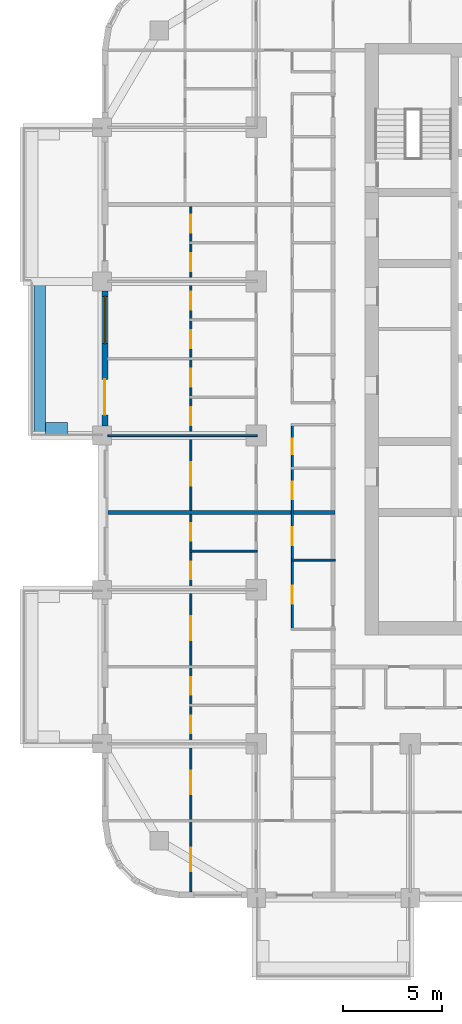
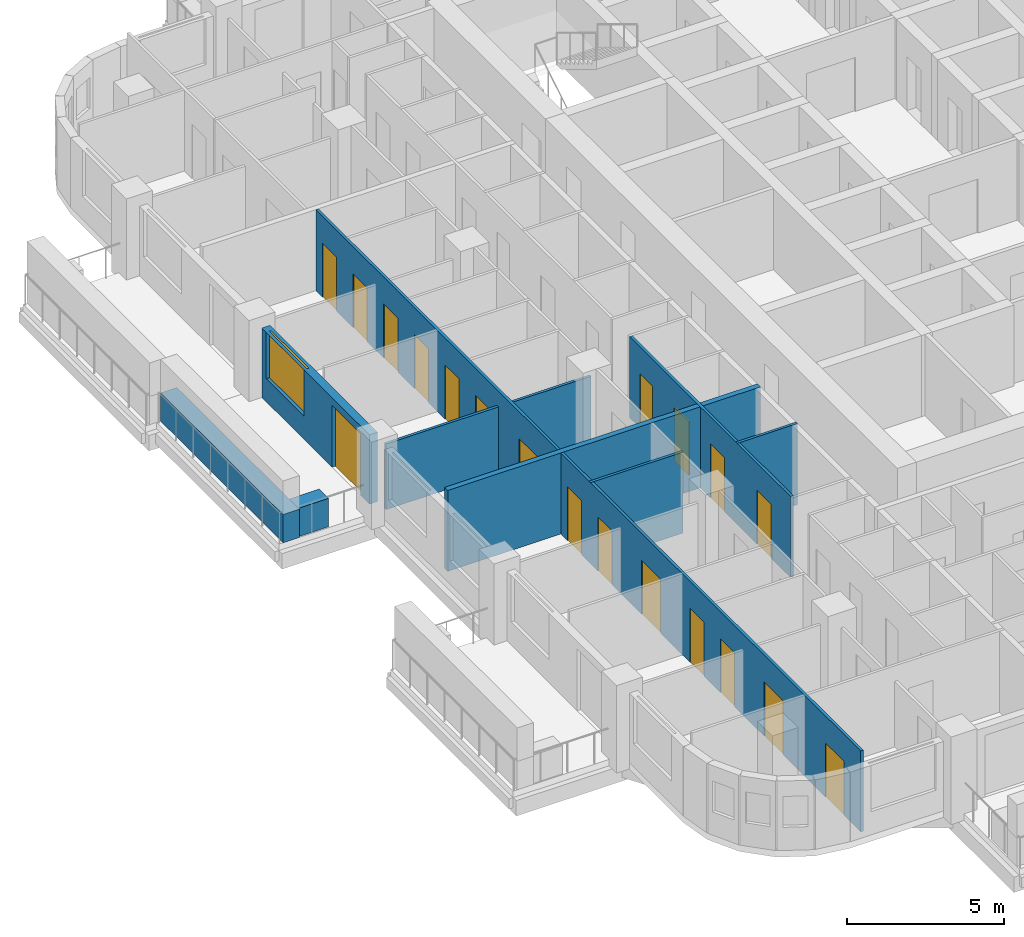
# One storey, part 5 of 18: 19 doors, 9 walls, 1 window, 20 openings.
"""IFC4 building model written with IfcOpenShell, lengths in metres."""

from ifc_helpers import new_model, si_unit, direction, frame, frame_2d, origin, place, context, subcontext, project, spatial, rectangle, extrude, material, layer, layer_set, type_object, element, fill, save


model = new_model("IFC4")

# Units and contexts
model_context = context("Model", 3, precision=1e-05, world=origin(), true_north=direction((0.0, 1.0)))
body_context = subcontext(model_context, "Body", "Model", "MODEL_VIEW")
ifc_project = project(units=[si_unit("LENGTHUNIT", "METRE"), si_unit("AREAUNIT", "SQUARE_METRE"), si_unit("VOLUMEUNIT", "CUBIC_METRE"), si_unit("PLANEANGLEUNIT", "RADIAN"), si_unit("MASSUNIT", "GRAM", prefix="KILO")], contexts=[model_context])

# Site, building, storey
site_placement = place(None, origin())
site = spatial("IfcSite", under=ifc_project, at=site_placement, CompositionType="ELEMENT")
building_placement = place(site_placement, origin())
building = spatial("IfcBuilding", under=site, at=building_placement, Name="Ludao Terraces", CompositionType="ELEMENT")
storey_placement = place(building_placement, frame((0.0, 0.0, 75.0)))
storey = spatial("IfcBuildingStorey", under=building, at=storey_placement, Name="L20", CompositionType="ELEMENT", Elevation=75.0)

# Walls
ifc_material_1 = material(Name="Concrete C40", Category="concrete")
ifc_layer_1 = layer(ifc_material_1, 0.60009765625)
ifc_layer_set_1 = layer_set([ifc_layer_1], Name="ENV Planter trough 600")
wall_type_1 = type_object("IfcWallType", Name="ENV Planter trough 600", PredefinedType="USERDEFINED", material=ifc_layer_set_1)
wall_1_placement = place(storey_placement, frame((58.449951171875, 65.0, 0.0), z_axis=(0.0, 0.0, 1.0), x_axis=(0.0, 1.0, 0.0)))
element("IfcWall", 1, at=wall_1_placement, inside=storey, type_object=wall_type_1, Name="PL-L20-W3", ObjectType="PLANTER", PredefinedType="USERDEFINED", context=body_context, shape_type="SweptSolid", body=[
    extrude(rectangle(XDim=7.800048828125, YDim=0.60009765625, at=frame_2d((3.89990234375, 0.0))), origin(), (0.0, 0.0, 1.0), 1.10009765625),
])
wall_2_placement = place(storey_placement, frame((58.75, 65.35009765625, 0.0), z_axis=(0.0, 0.0, 1.0), x_axis=(1.0, 0.0, 0.0)))
element("IfcWall", 2, at=wall_2_placement, inside=storey, type_object=wall_type_1, Name="PL-L20-W3-SA", ObjectType="PLANTER", PredefinedType="USERDEFINED", context=body_context, shape_type="SweptSolid", body=[
    extrude(rectangle(XDim=1.10009765625, YDim=0.60009765625, at=frame_2d((0.550048828125, 0.0))), origin(), (0.0, 0.0, 1.0), 1.10009765625),
])

# Wall, openings, door, window
ifc_material_2 = material(Name="Granite cladding", Category="masonry")
ifc_layer_2 = layer(ifc_material_2, 0.0400390625, Category="stone")
ifc_material_3 = material(Name="Mineral wool")
ifc_layer_3 = layer(ifc_material_3, 0.06005859375)
ifc_layer_4 = layer(ifc_material_1, 0.199951171875, Category="concrete")
ifc_layer_set_2 = layer_set([ifc_layer_2, ifc_layer_3, ifc_layer_4], Name="ENV Stone-clad wall 300")
wall_type_2 = type_object("IfcWallType", Name="ENV Stone-clad wall 300", PredefinedType="SOLIDWALL", material=ifc_layer_set_2)
wall_3_placement = place(storey_placement, frame((61.75, 65.47509765625, 0.0), z_axis=(0.0, 0.0, 1.0), x_axis=(0.0, 1.0, 0.0)))
wall_3 = element("IfcWall", 3, at=wall_3_placement, inside=storey, type_object=wall_type_2, Name="EW-L20-W4", PredefinedType="SOLIDWALL", context=body_context, shape_type="SweptSolid", body=[
    extrude(rectangle(XDim=6.849853515625, YDim=0.300048828125, at=frame_2d((3.4248046875, 0.0))), origin(), (0.0, 0.0, 1.0), 2.699951171875),
])
opening_1_placement = place(wall_3_placement, frame((0.574951171875, 0.0, 0.0)))
opening_1 = element("IfcOpeningElement", 4, at=opening_1_placement, cuts=wall_3, Name="Opening BD", PredefinedType="OPENING", context=body_context, shape_type="SweptSolid", body=[
    extrude(rectangle(XDim=1.800048828125, YDim=2.39990234375, at=frame_2d((0.89990234375, 1.199951171875))), frame((0.0, 0.16015625, 0.0), z_axis=(0.0, -1.0, 0.0), x_axis=(1.0, 0.0, 0.0)), (0.0, 0.0, 1.0), 0.320068359375),
])
opening_2_placement = place(wall_3_placement, frame((4.175048828125, 0.0, 0.89990234375)))
opening_2 = element("IfcOpeningElement", 5, at=opening_2_placement, cuts=wall_3, Name="Opening W1", PredefinedType="OPENING", context=body_context, shape_type="SweptSolid", body=[
    extrude(rectangle(XDim=2.39990234375, YDim=1.800048828125, at=frame_2d((1.199951171875, 0.89990234375))), frame((0.0, 0.16015625, 0.0), z_axis=(0.0, -1.0, 0.0), x_axis=(1.0, 0.0, 0.0)), (0.0, 0.0, 1.0), 0.320068359375),
])
ifc_material_4 = material(Name="Aluminium glazed door", Category="aluminium")
ifc_layer_5 = layer(ifc_material_4, 0.06005859375)
ifc_layer_set_3 = layer_set([ifc_layer_5], Name="ENV Balcony door BD 1800x2400")
door_type_1 = type_object("IfcDoorType", Name="ENV Balcony door BD 1800x2400", OperationType="DOUBLE_DOOR_SINGLE_SWING", PredefinedType="DOOR", material=ifc_layer_set_3)
door_1_placement = place(opening_1_placement, origin())
door_1 = element("IfcDoor", 6, at=door_1_placement, inside=storey, type_object=door_type_1, Name="BD-L20-W4-1", OperationType="DOUBLE_DOOR_SINGLE_SWING", OverallHeight=2.39990234375, OverallWidth=1.800048828125, PredefinedType="DOOR", context=body_context, shape_type="SweptSolid", body=[
    extrude(rectangle(XDim=1.800048828125, YDim=2.39990234375, at=frame_2d((0.89990234375, 1.199951171875))), frame((0.0, 0.02490234375, 0.0), z_axis=(0.0, -1.0, 0.0), x_axis=(1.0, 0.0, 0.0)), (0.0, 0.0, 1.0), 0.050048828125),
])
fill(opening_1, door_1)
ifc_material_5 = material(Name="Clear glass in aluminium frame", Category="aluminium")
ifc_layer_6 = layer(ifc_material_5, 0.06005859375)
ifc_layer_set_4 = layer_set([ifc_layer_6], Name="ENV Window W1 2400x1800")
window_type = type_object("IfcWindowType", Name="ENV Window W1 2400x1800", PartitioningType="DOUBLE_PANEL_VERTICAL", PredefinedType="WINDOW", material=ifc_layer_set_4)
window_placement = place(opening_2_placement, origin())
window = element("IfcWindow", 7, at=window_placement, inside=storey, type_object=window_type, Name="W-L20-W4-2", OverallHeight=1.800048828125, OverallWidth=2.39990234375, PartitioningType="DOUBLE_PANEL_VERTICAL", PredefinedType="WINDOW", context=body_context, shape_type="SweptSolid", body=[
    extrude(rectangle(XDim=2.39990234375, YDim=1.800048828125, at=frame_2d((1.199951171875, 0.89990234375))), frame((0.0, 0.030029296875, 0.0), z_axis=(0.0, -1.0, 0.0), x_axis=(1.0, 0.0, 0.0)), (0.0, 0.0, 1.0), 0.06005859375),
])
fill(opening_2, window)

# Walls
ifc_material_6 = material(Name="Gypsum plasterboard", Category="gypsum")
ifc_layer_7 = layer(ifc_material_6, 0.012451171875, Category="gypsum")
ifc_layer_8 = layer(ifc_material_3, 0.06005859375, Name="insulation")
ifc_material_7 = material(Name="Steel Q235", Category="steel")
ifc_layer_9 = layer(ifc_material_7, 0.014892578125, Name="stud")
ifc_layer_10 = layer(ifc_material_6, 0.012451171875, Category="gypsum")
ifc_layer_set_5 = layer_set([ifc_layer_7, ifc_layer_8, ifc_layer_9, ifc_layer_10], Name="INT Partition 100")
wall_type_3 = type_object("IfcWallType", Name="INT Partition 100", PredefinedType="PARTITIONING", material=ifc_layer_set_5)
wall_4_placement = place(storey_placement, frame((71.18017578125, 58.699951171875, 0.0), z_axis=(0.0, 0.0, 1.0), x_axis=(1.0, 0.0, 0.0)))
element("IfcWall", 8, at=wall_4_placement, inside=storey, type_object=wall_type_3, Name="PW-L20-PW029", PredefinedType="PARTITIONING", context=body_context, shape_type="SweptSolid", body=[
    extrude(rectangle(XDim=2.219970703125, YDim=0.10009765625, at=frame_2d((1.10986328125, 0.0))), origin(), (0.0, 0.0, 1.0), 3.14990234375),
])
wall_5_placement = place(storey_placement, frame((66.050048828125, 59.14990234375, 0.0), z_axis=(0.0, 0.0, 1.0), x_axis=(1.0, 0.0, 0.0)))
element("IfcWall", 9, at=wall_5_placement, inside=storey, type_object=wall_type_3, Name="PW-L20-PW030", PredefinedType="PARTITIONING", context=body_context, shape_type="SweptSolid", body=[
    extrude(rectangle(XDim=3.400146484375, YDim=0.10009765625, at=frame_2d((1.7001953125, 0.0))), origin(), (0.0, 0.0, 1.0), 3.14990234375),
])
wall_6_placement = place(storey_placement, frame((61.900146484375, 65.0, 0.0), z_axis=(0.0, 0.0, 1.0), x_axis=(1.0, 0.0, 0.0)))
element("IfcWall", 10, at=wall_6_placement, inside=storey, type_object=wall_type_3, Name="PW-L20-PW040", PredefinedType="PARTITIONING", context=body_context, shape_type="SweptSolid", body=[
    extrude(rectangle(XDim=7.550048828125, YDim=0.10009765625, at=frame_2d((3.77490234375, 0.0))), origin(), (0.0, 0.0, 1.0), 2.550048828125),
])

# Wall, openings, doors
wall_7_placement = place(storey_placement, frame((66.10009765625, 41.900146484375, 0.0), z_axis=(0.0, 0.0, 1.0), x_axis=(0.0, 1.0, 0.0)))
wall_7 = element("IfcWall", 11, at=wall_7_placement, inside=storey, type_object=wall_type_3, Name="PW-L20-PW082", PredefinedType="PARTITIONING", context=body_context, shape_type="SweptSolid", body=[
    extrude(rectangle(XDim=34.699951171875, YDim=0.10009765625, at=frame_2d((17.35009765625, 0.0))), origin(), (0.0, 0.0, 1.0), 3.14990234375),
])
opening_3_placement = place(wall_7_placement, frame((1.050048828125, 0.0, 0.0)))
opening_3 = element("IfcOpeningElement", 12, at=opening_3_placement, cuts=wall_7, Name="Opening R06-001", PredefinedType="OPENING", context=body_context, shape_type="SweptSolid", body=[
    extrude(rectangle(XDim=1.199951171875, YDim=2.10009765625, at=frame_2d((0.60009765625, 1.050048828125))), frame((0.0, 0.06005859375, 0.0), z_axis=(0.0, -1.0, 0.0), x_axis=(1.0, 0.0, 0.0)), (0.0, 0.0, 1.0), 0.1201171875),
])
opening_4_placement = place(wall_7_placement, frame((4.949951171875, 0.0, 0.0)))
opening_4 = element("IfcOpeningElement", 13, at=opening_4_placement, cuts=wall_7, Name="Opening R06-019", PredefinedType="OPENING", context=body_context, shape_type="SweptSolid", body=[
    extrude(rectangle(XDim=1.199951171875, YDim=2.10009765625, at=frame_2d((0.60009765625, 1.050048828125))), frame((0.0, 0.06005859375, 0.0), z_axis=(0.0, -1.0, 0.0), x_axis=(1.0, 0.0, 0.0)), (0.0, 0.0, 1.0), 0.1201171875),
])
opening_5_placement = place(wall_7_placement, frame((8.02490234375, 0.0, 0.0)))
opening_5 = element("IfcOpeningElement", 14, at=opening_5_placement, cuts=wall_7, Name="Opening R06-031", PredefinedType="OPENING", context=body_context, shape_type="SweptSolid", body=[
    extrude(rectangle(XDim=0.89990234375, YDim=2.10009765625, at=frame_2d((0.449951171875, 1.050048828125))), frame((0.0, 0.06005859375, 0.0), z_axis=(0.0, -1.0, 0.0), x_axis=(1.0, 0.0, 0.0)), (0.0, 0.0, 1.0), 0.1201171875),
])
opening_6_placement = place(wall_7_placement, frame((9.97509765625, 0.0, 0.0)))
opening_6 = element("IfcOpeningElement", 15, at=opening_6_placement, cuts=wall_7, Name="Opening R06-044", PredefinedType="OPENING", context=body_context, shape_type="SweptSolid", body=[
    extrude(rectangle(XDim=0.89990234375, YDim=2.10009765625, at=frame_2d((0.449951171875, 1.050048828125))), frame((0.0, 0.06005859375, 0.0), z_axis=(0.0, -1.0, 0.0), x_axis=(1.0, 0.0, 0.0)), (0.0, 0.0, 1.0), 0.1201171875),
])
opening_7_placement = place(wall_7_placement, frame((12.75, 0.0, 0.0)))
opening_7 = element("IfcOpeningElement", 16, at=opening_7_placement, cuts=wall_7, Name="Opening R06-051", PredefinedType="OPENING", context=body_context, shape_type="SweptSolid", body=[
    extrude(rectangle(XDim=1.199951171875, YDim=2.10009765625, at=frame_2d((0.60009765625, 1.050048828125))), frame((0.0, 0.06005859375, 0.0), z_axis=(0.0, -1.0, 0.0), x_axis=(1.0, 0.0, 0.0)), (0.0, 0.0, 1.0), 0.1201171875),
])
opening_8_placement = place(wall_7_placement, frame((15.824951171875, 0.0, 0.0)))
opening_8 = element("IfcOpeningElement", 17, at=opening_8_placement, cuts=wall_7, Name="Opening R06-063", PredefinedType="OPENING", context=body_context, shape_type="SweptSolid", body=[
    extrude(rectangle(XDim=0.89990234375, YDim=2.10009765625, at=frame_2d((0.449951171875, 1.050048828125))), frame((0.0, 0.06005859375, 0.0), z_axis=(0.0, -1.0, 0.0), x_axis=(1.0, 0.0, 0.0)), (0.0, 0.0, 1.0), 0.1201171875),
])
opening_9_placement = place(wall_7_placement, frame((17.77490234375, 0.0, 0.0)))
opening_9 = element("IfcOpeningElement", 18, at=opening_9_placement, cuts=wall_7, Name="Opening R06-067", PredefinedType="OPENING", context=body_context, shape_type="SweptSolid", body=[
    extrude(rectangle(XDim=0.89990234375, YDim=2.10009765625, at=frame_2d((0.449951171875, 1.050048828125))), frame((0.0, 0.06005859375, 0.0), z_axis=(0.0, -1.0, 0.0), x_axis=(1.0, 0.0, 0.0)), (0.0, 0.0, 1.0), 0.1201171875),
])
opening_10_placement = place(wall_7_placement, frame((20.550048828125, 0.0, 0.0)))
opening_10 = element("IfcOpeningElement", 19, at=opening_10_placement, cuts=wall_7, Name="Opening R06-077", PredefinedType="OPENING", context=body_context, shape_type="SweptSolid", body=[
    extrude(rectangle(XDim=1.199951171875, YDim=2.10009765625, at=frame_2d((0.60009765625, 1.050048828125))), frame((0.0, 0.06005859375, 0.0), z_axis=(0.0, -1.0, 0.0), x_axis=(1.0, 0.0, 0.0)), (0.0, 0.0, 1.0), 0.1201171875),
])
opening_11_placement = place(wall_7_placement, frame((23.625, 0.0, 0.0)))
opening_11 = element("IfcOpeningElement", 20, at=opening_11_placement, cuts=wall_7, Name="Opening R06-087", PredefinedType="OPENING", context=body_context, shape_type="SweptSolid", body=[
    extrude(rectangle(XDim=0.89990234375, YDim=2.10009765625, at=frame_2d((0.449951171875, 1.050048828125))), frame((0.0, 0.06005859375, 0.0), z_axis=(0.0, -1.0, 0.0), x_axis=(1.0, 0.0, 0.0)), (0.0, 0.0, 1.0), 0.1201171875),
])
opening_12_placement = place(wall_7_placement, frame((25.574951171875, 0.0, 0.0)))
opening_12 = element("IfcOpeningElement", 21, at=opening_12_placement, cuts=wall_7, Name="Opening R06-094", PredefinedType="OPENING", context=body_context, shape_type="SweptSolid", body=[
    extrude(rectangle(XDim=0.89990234375, YDim=2.10009765625, at=frame_2d((0.449951171875, 1.050048828125))), frame((0.0, 0.06005859375, 0.0), z_axis=(0.0, -1.0, 0.0), x_axis=(1.0, 0.0, 0.0)), (0.0, 0.0, 1.0), 0.1201171875),
])
opening_13_placement = place(wall_7_placement, frame((27.52490234375, 0.0, 0.0)))
opening_13 = element("IfcOpeningElement", 22, at=opening_13_placement, cuts=wall_7, Name="Opening R06-100", PredefinedType="OPENING", context=body_context, shape_type="SweptSolid", body=[
    extrude(rectangle(XDim=0.89990234375, YDim=2.10009765625, at=frame_2d((0.449951171875, 1.050048828125))), frame((0.0, 0.06005859375, 0.0), z_axis=(0.0, -1.0, 0.0), x_axis=(1.0, 0.0, 0.0)), (0.0, 0.0, 1.0), 0.1201171875),
])
opening_14_placement = place(wall_7_placement, frame((29.47509765625, 0.0, 0.0)))
opening_14 = element("IfcOpeningElement", 23, at=opening_14_placement, cuts=wall_7, Name="Opening R06-107", PredefinedType="OPENING", context=body_context, shape_type="SweptSolid", body=[
    extrude(rectangle(XDim=0.89990234375, YDim=2.10009765625, at=frame_2d((0.449951171875, 1.050048828125))), frame((0.0, 0.06005859375, 0.0), z_axis=(0.0, -1.0, 0.0), x_axis=(1.0, 0.0, 0.0)), (0.0, 0.0, 1.0), 0.1201171875),
])
opening_15_placement = place(wall_7_placement, frame((31.425048828125, 0.0, 0.0)))
opening_15 = element("IfcOpeningElement", 24, at=opening_15_placement, cuts=wall_7, Name="Opening R06-115", PredefinedType="OPENING", context=body_context, shape_type="SweptSolid", body=[
    extrude(rectangle(XDim=0.89990234375, YDim=2.10009765625, at=frame_2d((0.449951171875, 1.050048828125))), frame((0.0, 0.06005859375, 0.0), z_axis=(0.0, -1.0, 0.0), x_axis=(1.0, 0.0, 0.0)), (0.0, 0.0, 1.0), 0.1201171875),
])
opening_16_placement = place(wall_7_placement, frame((33.375, 0.0, 0.0)))
opening_16 = element("IfcOpeningElement", 25, at=opening_16_placement, cuts=wall_7, Name="Opening R06-123", PredefinedType="OPENING", context=body_context, shape_type="SweptSolid", body=[
    extrude(rectangle(XDim=0.89990234375, YDim=2.10009765625, at=frame_2d((0.449951171875, 1.050048828125))), frame((0.0, 0.06005859375, 0.0), z_axis=(0.0, -1.0, 0.0), x_axis=(1.0, 0.0, 0.0)), (0.0, 0.0, 1.0), 0.1201171875),
])
ifc_material_8 = material(Name="Timber door leaf", Category="wood")
door_type_2 = type_object("IfcDoorType", Name="INT Bathroom door 900", OperationType="SINGLE_SWING_LEFT", PredefinedType="DOOR", material=ifc_material_8)
door_2_placement = place(opening_5_placement, origin())
door_2 = element("IfcDoor", 26, at=door_2_placement, inside=storey, type_object=door_type_2, Name="DOOR 031", OperationType="SINGLE_SWING_RIGHT", OverallHeight=2.10009765625, OverallWidth=0.89990234375, PredefinedType="DOOR", context=body_context, shape_type="SweptSolid", body=[
    extrude(rectangle(XDim=0.89990234375, YDim=2.10009765625, at=frame_2d((0.449951171875, 1.050048828125))), frame((0.0, 0.02490234375, 0.0), z_axis=(0.0, -1.0, 0.0), x_axis=(1.0, 0.0, 0.0)), (0.0, 0.0, 1.0), 0.050048828125),
])
fill(opening_5, door_2)
door_3_placement = place(opening_8_placement, origin())
door_3 = element("IfcDoor", 27, at=door_3_placement, inside=storey, type_object=door_type_2, Name="DOOR 063", OperationType="SINGLE_SWING_LEFT", OverallHeight=2.10009765625, OverallWidth=0.89990234375, PredefinedType="DOOR", context=body_context, shape_type="SweptSolid", body=[
    extrude(rectangle(XDim=0.89990234375, YDim=2.10009765625, at=frame_2d((0.449951171875, 1.050048828125))), frame((0.0, 0.02490234375, 0.0), z_axis=(0.0, -1.0, 0.0), x_axis=(1.0, 0.0, 0.0)), (0.0, 0.0, 1.0), 0.050048828125),
])
fill(opening_8, door_3)
door_4_placement = place(opening_11_placement, origin())
door_4 = element("IfcDoor", 28, at=door_4_placement, inside=storey, type_object=door_type_2, Name="DOOR 087", OperationType="SINGLE_SWING_LEFT", OverallHeight=2.10009765625, OverallWidth=0.89990234375, PredefinedType="DOOR", context=body_context, shape_type="SweptSolid", body=[
    extrude(rectangle(XDim=0.89990234375, YDim=2.10009765625, at=frame_2d((0.449951171875, 1.050048828125))), frame((0.0, 0.02490234375, 0.0), z_axis=(0.0, -1.0, 0.0), x_axis=(1.0, 0.0, 0.0)), (0.0, 0.0, 1.0), 0.050048828125),
])
fill(opening_11, door_4)
door_5_placement = place(opening_13_placement, origin())
door_5 = element("IfcDoor", 29, at=door_5_placement, inside=storey, type_object=door_type_2, Name="DOOR 100", OperationType="SINGLE_SWING_RIGHT", OverallHeight=2.10009765625, OverallWidth=0.89990234375, PredefinedType="DOOR", context=body_context, shape_type="SweptSolid", body=[
    extrude(rectangle(XDim=0.89990234375, YDim=2.10009765625, at=frame_2d((0.449951171875, 1.050048828125))), frame((0.0, 0.02490234375, 0.0), z_axis=(0.0, -1.0, 0.0), x_axis=(1.0, 0.0, 0.0)), (0.0, 0.0, 1.0), 0.050048828125),
])
fill(opening_13, door_5)
door_6_placement = place(opening_15_placement, origin())
door_6 = element("IfcDoor", 30, at=door_6_placement, inside=storey, type_object=door_type_2, Name="DOOR 115", OperationType="SINGLE_SWING_RIGHT", OverallHeight=2.10009765625, OverallWidth=0.89990234375, PredefinedType="DOOR", context=body_context, shape_type="SweptSolid", body=[
    extrude(rectangle(XDim=0.89990234375, YDim=2.10009765625, at=frame_2d((0.449951171875, 1.050048828125))), frame((0.0, 0.02490234375, 0.0), z_axis=(0.0, -1.0, 0.0), x_axis=(1.0, 0.0, 0.0)), (0.0, 0.0, 1.0), 0.050048828125),
])
fill(opening_15, door_6)
door_type_3 = type_object("IfcDoorType", Name="INT Double door 1200", OperationType="DOUBLE_DOOR_SINGLE_SWING", PredefinedType="DOOR", material=ifc_material_8)
door_7_placement = place(opening_3_placement, origin())
door_7 = element("IfcDoor", 31, at=door_7_placement, inside=storey, type_object=door_type_3, Name="DOOR 001", OperationType="DOUBLE_DOOR_SINGLE_SWING", OverallHeight=2.10009765625, OverallWidth=1.199951171875, PredefinedType="DOOR", context=body_context, shape_type="SweptSolid", body=[
    extrude(rectangle(XDim=1.199951171875, YDim=2.10009765625, at=frame_2d((0.60009765625, 1.050048828125))), frame((0.0, 0.02490234375, 0.0), z_axis=(0.0, -1.0, 0.0), x_axis=(1.0, 0.0, 0.0)), (0.0, 0.0, 1.0), 0.050048828125),
])
fill(opening_3, door_7)
door_8_placement = place(opening_4_placement, origin())
door_8 = element("IfcDoor", 32, at=door_8_placement, inside=storey, type_object=door_type_3, Name="DOOR 019", OperationType="DOUBLE_DOOR_SINGLE_SWING", OverallHeight=2.10009765625, OverallWidth=1.199951171875, PredefinedType="DOOR", context=body_context, shape_type="SweptSolid", body=[
    extrude(rectangle(XDim=1.199951171875, YDim=2.10009765625, at=frame_2d((0.60009765625, 1.050048828125))), frame((0.0, 0.02490234375, 0.0), z_axis=(0.0, -1.0, 0.0), x_axis=(1.0, 0.0, 0.0)), (0.0, 0.0, 1.0), 0.050048828125),
])
fill(opening_4, door_8)
door_9_placement = place(opening_7_placement, origin())
door_9 = element("IfcDoor", 33, at=door_9_placement, inside=storey, type_object=door_type_3, Name="DOOR 051", OperationType="DOUBLE_DOOR_SINGLE_SWING", OverallHeight=2.10009765625, OverallWidth=1.199951171875, PredefinedType="DOOR", context=body_context, shape_type="SweptSolid", body=[
    extrude(rectangle(XDim=1.199951171875, YDim=2.10009765625, at=frame_2d((0.60009765625, 1.050048828125))), frame((0.0, 0.02490234375, 0.0), z_axis=(0.0, -1.0, 0.0), x_axis=(1.0, 0.0, 0.0)), (0.0, 0.0, 1.0), 0.050048828125),
])
fill(opening_7, door_9)
door_10_placement = place(opening_10_placement, origin())
door_10 = element("IfcDoor", 34, at=door_10_placement, inside=storey, type_object=door_type_3, Name="DOOR 077", OperationType="DOUBLE_DOOR_SINGLE_SWING", OverallHeight=2.10009765625, OverallWidth=1.199951171875, PredefinedType="DOOR", context=body_context, shape_type="SweptSolid", body=[
    extrude(rectangle(XDim=1.199951171875, YDim=2.10009765625, at=frame_2d((0.60009765625, 1.050048828125))), frame((0.0, 0.02490234375, 0.0), z_axis=(0.0, -1.0, 0.0), x_axis=(1.0, 0.0, 0.0)), (0.0, 0.0, 1.0), 0.050048828125),
])
fill(opening_10, door_10)
door_type_4 = type_object("IfcDoorType", Name="INT Room door 900", OperationType="SINGLE_SWING_LEFT", PredefinedType="DOOR", material=ifc_material_8)
door_11_placement = place(opening_6_placement, origin())
door_11 = element("IfcDoor", 35, at=door_11_placement, inside=storey, type_object=door_type_4, Name="DOOR 044", OperationType="SINGLE_SWING_RIGHT", OverallHeight=2.10009765625, OverallWidth=0.89990234375, PredefinedType="DOOR", context=body_context, shape_type="SweptSolid", body=[
    extrude(rectangle(XDim=0.89990234375, YDim=2.10009765625, at=frame_2d((0.449951171875, 1.050048828125))), frame((0.0, 0.02490234375, 0.0), z_axis=(0.0, -1.0, 0.0), x_axis=(1.0, 0.0, 0.0)), (0.0, 0.0, 1.0), 0.050048828125),
])
fill(opening_6, door_11)
door_12_placement = place(opening_9_placement, origin())
door_12 = element("IfcDoor", 36, at=door_12_placement, inside=storey, type_object=door_type_4, Name="DOOR 067", OperationType="SINGLE_SWING_LEFT", OverallHeight=2.10009765625, OverallWidth=0.89990234375, PredefinedType="DOOR", context=body_context, shape_type="SweptSolid", body=[
    extrude(rectangle(XDim=0.89990234375, YDim=2.10009765625, at=frame_2d((0.449951171875, 1.050048828125))), frame((0.0, 0.02490234375, 0.0), z_axis=(0.0, -1.0, 0.0), x_axis=(1.0, 0.0, 0.0)), (0.0, 0.0, 1.0), 0.050048828125),
])
fill(opening_9, door_12)
door_13_placement = place(opening_12_placement, origin())
door_13 = element("IfcDoor", 37, at=door_13_placement, inside=storey, type_object=door_type_4, Name="DOOR 094", OperationType="SINGLE_SWING_RIGHT", OverallHeight=2.10009765625, OverallWidth=0.89990234375, PredefinedType="DOOR", context=body_context, shape_type="SweptSolid", body=[
    extrude(rectangle(XDim=0.89990234375, YDim=2.10009765625, at=frame_2d((0.449951171875, 1.050048828125))), frame((0.0, 0.02490234375, 0.0), z_axis=(0.0, -1.0, 0.0), x_axis=(1.0, 0.0, 0.0)), (0.0, 0.0, 1.0), 0.050048828125),
])
fill(opening_12, door_13)
door_14_placement = place(opening_14_placement, origin())
door_14 = element("IfcDoor", 38, at=door_14_placement, inside=storey, type_object=door_type_4, Name="DOOR 107", OperationType="SINGLE_SWING_LEFT", OverallHeight=2.10009765625, OverallWidth=0.89990234375, PredefinedType="DOOR", context=body_context, shape_type="SweptSolid", body=[
    extrude(rectangle(XDim=0.89990234375, YDim=2.10009765625, at=frame_2d((0.449951171875, 1.050048828125))), frame((0.0, 0.02490234375, 0.0), z_axis=(0.0, -1.0, 0.0), x_axis=(1.0, 0.0, 0.0)), (0.0, 0.0, 1.0), 0.050048828125),
])
fill(opening_14, door_14)
door_15_placement = place(opening_16_placement, origin())
door_15 = element("IfcDoor", 39, at=door_15_placement, inside=storey, type_object=door_type_4, Name="DOOR 123", OperationType="SINGLE_SWING_LEFT", OverallHeight=2.10009765625, OverallWidth=0.89990234375, PredefinedType="DOOR", context=body_context, shape_type="SweptSolid", body=[
    extrude(rectangle(XDim=0.89990234375, YDim=2.10009765625, at=frame_2d((0.449951171875, 1.050048828125))), frame((0.0, 0.02490234375, 0.0), z_axis=(0.0, -1.0, 0.0), x_axis=(1.0, 0.0, 0.0)), (0.0, 0.0, 1.0), 0.050048828125),
])
fill(opening_16, door_15)

wall_8_placement = place(storey_placement, frame((71.22998046875, 55.25, 0.0), z_axis=(0.0, 0.0, 1.0), x_axis=(0.0, 1.0, 0.0)))
wall_8 = element("IfcWall", 40, at=wall_8_placement, inside=storey, type_object=wall_type_3, Name="PW-L20-PW085", PredefinedType="PARTITIONING", context=body_context, shape_type="SweptSolid", body=[
    extrude(rectangle(XDim=10.25, YDim=0.10009765625, at=frame_2d((5.125, 0.0))), origin(), (0.0, 0.0, 1.0), 3.14990234375),
])
opening_17_placement = place(wall_8_placement, frame((1.25, 0.0, 0.0)))
opening_17 = element("IfcOpeningElement", 41, at=opening_17_placement, cuts=wall_8, Name="Opening R06-060", PredefinedType="OPENING", context=body_context, shape_type="SweptSolid", body=[
    extrude(rectangle(XDim=0.89990234375, YDim=2.10009765625, at=frame_2d((0.449951171875, 1.050048828125))), frame((0.0, 0.06005859375, 0.0), z_axis=(0.0, -1.0, 0.0), x_axis=(1.0, 0.0, 0.0)), (0.0, 0.0, 1.0), 0.1201171875),
])
opening_18_placement = place(wall_8_placement, frame((4.2001953125, 0.0, 0.0)))
opening_18 = element("IfcOpeningElement", 42, at=opening_18_placement, cuts=wall_8, Name="Opening R06-066", PredefinedType="OPENING", context=body_context, shape_type="SweptSolid", body=[
    extrude(rectangle(XDim=0.89990234375, YDim=2.10009765625, at=frame_2d((0.449951171875, 1.050048828125))), frame((0.0, 0.06005859375, 0.0), z_axis=(0.0, -1.0, 0.0), x_axis=(1.0, 0.0, 0.0)), (0.0, 0.0, 1.0), 0.1201171875),
])
opening_19_placement = place(wall_8_placement, frame((6.525146484375, 0.0, 0.0)))
opening_19 = element("IfcOpeningElement", 43, at=opening_19_placement, cuts=wall_8, Name="Opening R06-074", PredefinedType="OPENING", context=body_context, shape_type="SweptSolid", body=[
    extrude(rectangle(XDim=0.89990234375, YDim=2.10009765625, at=frame_2d((0.449951171875, 1.050048828125))), frame((0.0, 0.06005859375, 0.0), z_axis=(0.0, -1.0, 0.0), x_axis=(1.0, 0.0, 0.0)), (0.0, 0.0, 1.0), 0.1201171875),
])
opening_20_placement = place(wall_8_placement, frame((8.800048828125, 0.0, 0.0)))
opening_20 = element("IfcOpeningElement", 44, at=opening_20_placement, cuts=wall_8, Name="Opening R06-084", PredefinedType="OPENING", context=body_context, shape_type="SweptSolid", body=[
    extrude(rectangle(XDim=0.800048828125, YDim=2.10009765625, at=frame_2d((0.39990234375, 1.050048828125))), frame((0.0, 0.06005859375, 0.0), z_axis=(0.0, -1.0, 0.0), x_axis=(1.0, 0.0, 0.0)), (0.0, 0.0, 1.0), 0.1201171875),
])
door_16_placement = place(opening_18_placement, origin())
door_16 = element("IfcDoor", 45, at=door_16_placement, inside=storey, type_object=door_type_2, Name="DOOR 066", OperationType="SINGLE_SWING_LEFT", OverallHeight=2.10009765625, OverallWidth=0.89990234375, PredefinedType="DOOR", context=body_context, shape_type="SweptSolid", body=[
    extrude(rectangle(XDim=0.89990234375, YDim=2.10009765625, at=frame_2d((0.449951171875, 1.050048828125))), frame((0.0, 0.02490234375, 0.0), z_axis=(0.0, -1.0, 0.0), x_axis=(1.0, 0.0, 0.0)), (0.0, 0.0, 1.0), 0.050048828125),
])
fill(opening_18, door_16)
door_17_placement = place(opening_19_placement, origin())
door_17 = element("IfcDoor", 46, at=door_17_placement, inside=storey, type_object=door_type_2, Name="DOOR 074", OperationType="SINGLE_SWING_RIGHT", OverallHeight=2.10009765625, OverallWidth=0.89990234375, PredefinedType="DOOR", context=body_context, shape_type="SweptSolid", body=[
    extrude(rectangle(XDim=0.89990234375, YDim=2.10009765625, at=frame_2d((0.449951171875, 1.050048828125))), frame((0.0, 0.02490234375, 0.0), z_axis=(0.0, -1.0, 0.0), x_axis=(1.0, 0.0, 0.0)), (0.0, 0.0, 1.0), 0.050048828125),
])
fill(opening_19, door_17)
door_18_placement = place(opening_17_placement, origin())
door_18 = element("IfcDoor", 47, at=door_18_placement, inside=storey, type_object=door_type_4, Name="DOOR 060", OperationType="SINGLE_SWING_LEFT", OverallHeight=2.10009765625, OverallWidth=0.89990234375, PredefinedType="DOOR", context=body_context, shape_type="SweptSolid", body=[
    extrude(rectangle(XDim=0.89990234375, YDim=2.10009765625, at=frame_2d((0.449951171875, 1.050048828125))), frame((0.0, 0.02490234375, 0.0), z_axis=(0.0, -1.0, 0.0), x_axis=(1.0, 0.0, 0.0)), (0.0, 0.0, 1.0), 0.050048828125),
])
fill(opening_17, door_18)
door_type_5 = type_object("IfcDoorType", Name="INT Store door 800", OperationType="SINGLE_SWING_LEFT", PredefinedType="DOOR", material=ifc_material_8)
door_19_placement = place(opening_20_placement, origin())
door_19 = element("IfcDoor", 48, at=door_19_placement, inside=storey, type_object=door_type_5, Name="DOOR 084", OperationType="SINGLE_SWING_LEFT", OverallHeight=2.10009765625, OverallWidth=0.800048828125, PredefinedType="DOOR", context=body_context, shape_type="SweptSolid", body=[
    extrude(rectangle(XDim=0.800048828125, YDim=2.10009765625, at=frame_2d((0.39990234375, 1.050048828125))), frame((0.0, 0.02490234375, 0.0), z_axis=(0.0, -1.0, 0.0), x_axis=(1.0, 0.0, 0.0)), (0.0, 0.0, 1.0), 0.050048828125),
])
fill(opening_20, door_19)

# Wall
ifc_material_9 = material(Name="Autoclaved aerated concrete block B06 A3.5", Category="concrete")
ifc_layer_11 = layer(ifc_material_9, 0.199951171875)
ifc_layer_set_6 = layer_set([ifc_layer_11], Name="INT Party wall 200")
wall_type_4 = type_object("IfcWallType", Name="INT Party wall 200", PredefinedType="PARTITIONING", material=ifc_layer_set_6)
wall_9_placement = place(storey_placement, frame((61.900146484375, 61.10009765625, 0.0), z_axis=(0.0, 0.0, 1.0), x_axis=(1.0, 0.0, 0.0)))
element("IfcWall", 49, at=wall_9_placement, inside=storey, type_object=wall_type_4, Name="PW-L20-PW033", PredefinedType="PARTITIONING", context=body_context, shape_type="SweptSolid", body=[
    extrude(rectangle(XDim=11.5, YDim=0.199951171875, at=frame_2d((5.75, 0.0))), origin(), (0.0, 0.0, 1.0), 3.14990234375),
])

save(model, "model.ifc")
